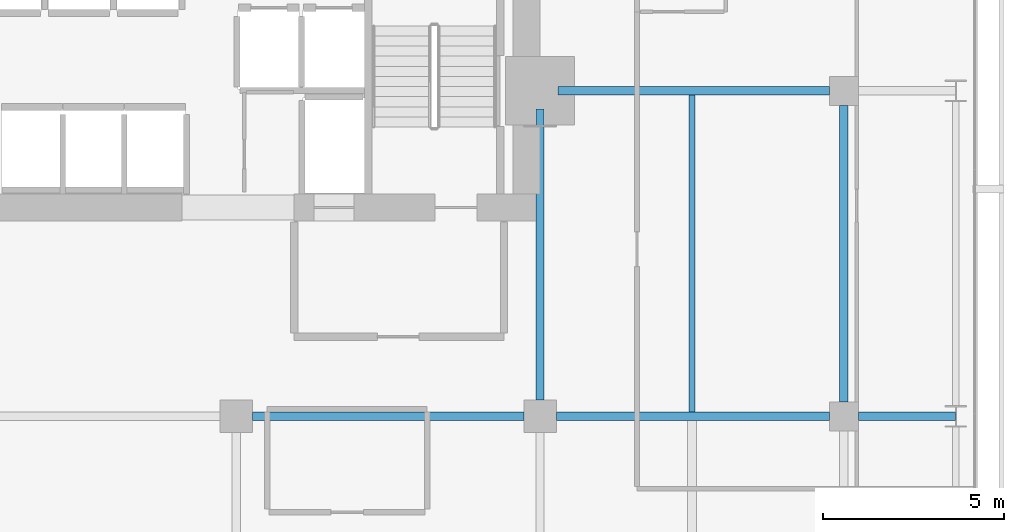
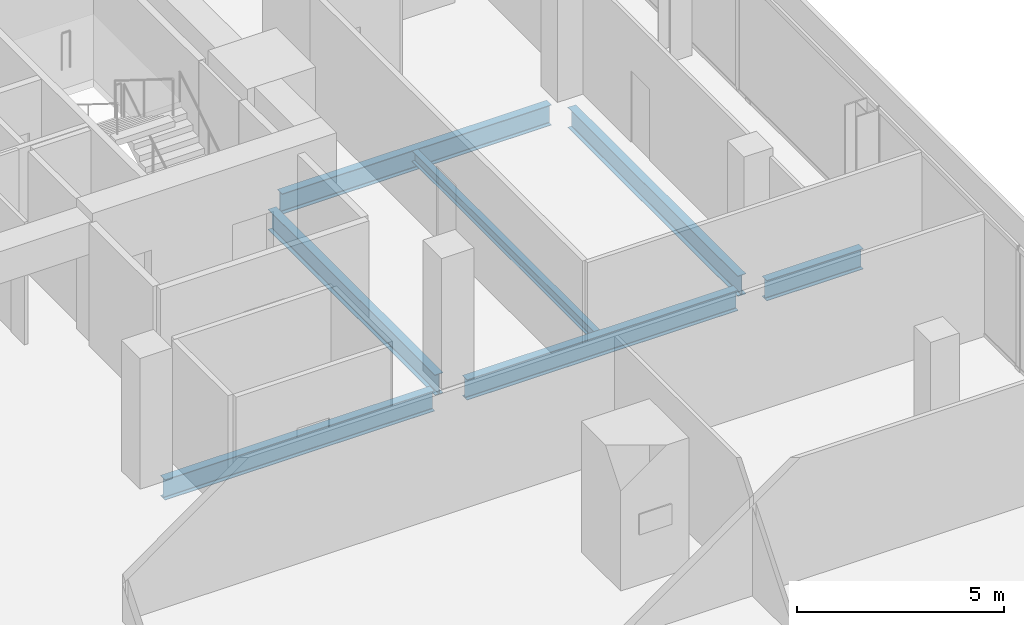
# One storey, part 23 of 32: 7 beams.
"""IFC4 building model written with IfcOpenShell, lengths in metres."""

from ifc_helpers import new_model, si_unit, direction, frame, origin, origin_2d, place, context, subcontext, project, spatial, i_section, extrude, material, material_profile, profile_set, type_object, element, save


model = new_model("IFC4")

# Units and contexts
model_context = context("Model", 3, precision=1e-05, world=origin(), true_north=direction((0.0, 1.0)))
body_context = subcontext(model_context, "Body", "Model", "MODEL_VIEW")
ifc_project = project(units=[si_unit("LENGTHUNIT", "METRE"), si_unit("AREAUNIT", "SQUARE_METRE"), si_unit("VOLUMEUNIT", "CUBIC_METRE"), si_unit("PLANEANGLEUNIT", "RADIAN"), si_unit("MASSUNIT", "GRAM", prefix="KILO")], contexts=[model_context])

# Site, building, storey
site_placement = place(None, origin())
site = spatial("IfcSite", under=ifc_project, at=site_placement, CompositionType="ELEMENT")
building_placement = place(site_placement, origin())
building = spatial("IfcBuilding", under=site, at=building_placement, Name="Maruvema Waterfront Hotel and Observation Tower", CompositionType="ELEMENT")
storey_placement = place(building_placement, frame((0.0, 0.0, 165.89990234375)))
storey = spatial("IfcBuildingStorey", under=building, at=storey_placement, Name="L40", CompositionType="ELEMENT", Elevation=165.89990234375)

# Beams
ifc_material_1 = material(Name="Steel ASTM A572 Grade 50", Category="steel")
ifc_material_profile_1 = material_profile(ifc_material_1, i_section(OverallWidth=0.22802734375, OverallDepth=0.60302734375, WebThickness=0.010498046875, FlangeThickness=0.014892578125, FilletRadius=0.01806640625, at=origin_2d()), Name="W610x101.0")
ifc_profile_set_1 = profile_set([ifc_material_profile_1], Name="Steel ASTM A572 Grade 50")
beam_type_1 = type_object("IfcBeamType", Name="Primary Floor Girder W610x101.0", PredefinedType="BEAM", material=ifc_profile_set_1)
beam_1_placement = place(storey_placement, frame((42.449951171875, 36.0, -0.54150390625), z_axis=(1.0, 0.0, 0.0), x_axis=(0.0, 1.0, 0.0)))
element("IfcBeam", 1, at=beam_1_placement, inside=storey, type_object=beam_type_1, Name="L40 Floor Girder EW-27", PredefinedType="BEAM", context=body_context, shape_type="SweptSolid", body=[
    extrude(i_section(OverallWidth=0.22802734375, OverallDepth=0.60302734375, WebThickness=0.010498046875, FlangeThickness=0.014892578125, FilletRadius=0.01806640625, at=origin_2d()), origin(), (0.0, 0.0, 1.0), 7.5),
])
beam_2_placement = place(storey_placement, frame((50.85009765625, 36.0, -0.54150390625), z_axis=(1.0, 0.0, 0.0), x_axis=(0.0, 1.0, 0.0)))
element("IfcBeam", 2, at=beam_2_placement, inside=storey, type_object=beam_type_1, Name="L40 Floor Girder EW-28", PredefinedType="BEAM", context=body_context, shape_type="SweptSolid", body=[
    extrude(i_section(OverallWidth=0.22802734375, OverallDepth=0.60302734375, WebThickness=0.010498046875, FlangeThickness=0.014892578125, FilletRadius=0.01806640625, at=origin_2d()), origin(), (0.0, 0.0, 1.0), 7.5498046875),
])
beam_3_placement = place(storey_placement, frame((59.199951171875, 36.0, -0.54150390625), z_axis=(1.0, 0.0, 0.0), x_axis=(0.0, 1.0, 0.0)))
element("IfcBeam", 3, at=beam_3_placement, inside=storey, type_object=beam_type_1, Name="L40 Floor Girder EW-29", PredefinedType="BEAM", context=body_context, shape_type="SweptSolid", body=[
    extrude(i_section(OverallWidth=0.22802734375, OverallDepth=0.60302734375, WebThickness=0.010498046875, FlangeThickness=0.014892578125, FilletRadius=0.01806640625, at=origin_2d()), origin(), (0.0, 0.0, 1.0), 2.6875),
])
beam_4_placement = place(storey_placement, frame((50.89990234375, 45.0, -0.54150390625), z_axis=(1.0, 0.0, 0.0), x_axis=(0.0, 1.0, 0.0)))
element("IfcBeam", 4, at=beam_4_placement, inside=storey, type_object=beam_type_1, Name="L40 Floor Girder EW-32", PredefinedType="BEAM", context=body_context, shape_type="SweptSolid", body=[
    extrude(i_section(OverallWidth=0.22802734375, OverallDepth=0.60302734375, WebThickness=0.010498046875, FlangeThickness=0.014892578125, FilletRadius=0.01806640625, at=origin_2d()), origin(), (0.0, 0.0, 1.0), 7.5),
])
beam_5_placement = place(storey_placement, frame((50.39990234375, 36.449951171875, -0.54150390625), z_axis=(0.0, 1.0, 0.0), x_axis=(-1.0, 0.0, 0.0)))
element("IfcBeam", 5, at=beam_5_placement, inside=storey, type_object=beam_type_1, Name="L40 Floor Girder NS-24", PredefinedType="BEAM", context=body_context, shape_type="SweptSolid", body=[
    extrude(i_section(OverallWidth=0.22802734375, OverallDepth=0.60302734375, WebThickness=0.010498046875, FlangeThickness=0.014892578125, FilletRadius=0.01806640625, at=origin_2d()), origin(), (0.0, 0.0, 1.0), 8.050048828125),
])
beam_6_placement = place(storey_placement, frame((58.800048828125, 36.39990234375, -0.54150390625), z_axis=(0.0, 1.0, 0.0), x_axis=(-1.0, 0.0, 0.0)))
element("IfcBeam", 6, at=beam_6_placement, inside=storey, type_object=beam_type_1, Name="L40 Floor Girder NS-28", PredefinedType="BEAM", context=body_context, shape_type="SweptSolid", body=[
    extrude(i_section(OverallWidth=0.22802734375, OverallDepth=0.60302734375, WebThickness=0.010498046875, FlangeThickness=0.014892578125, FilletRadius=0.01806640625, at=origin_2d()), origin(), (0.0, 0.0, 1.0), 8.2001953125),
])
ifc_material_2 = material(Name="Steel ASTM A572 Grade 50", Category="steel")
ifc_material_profile_2 = material_profile(ifc_material_2, i_section(OverallWidth=0.1669921875, OverallDepth=0.31689453125, WebThickness=0.007568359375, FlangeThickness=0.01318359375, FilletRadius=0.012939453125, at=origin_2d()), Name="W310x52.0")
ifc_profile_set_2 = profile_set([ifc_material_profile_2], Name="Steel ASTM A572 Grade 50")
beam_type_2 = type_object("IfcBeamType", Name="Secondary Floor Joist W310x52.0", PredefinedType="JOIST", material=ifc_profile_set_2)
beam_7_placement = place(storey_placement, frame((54.60009765625, 36.114013671875, -0.3984375), z_axis=(0.0, 1.0, 0.0), x_axis=(-1.0, 0.0, 0.0)))
element("IfcBeam", 7, at=beam_7_placement, inside=storey, type_object=beam_type_2, Name="L40 Secondary Floor Joist JS-14", PredefinedType="JOIST", context=body_context, shape_type="SweptSolid", body=[
    extrude(i_section(OverallWidth=0.1669921875, OverallDepth=0.31689453125, WebThickness=0.007568359375, FlangeThickness=0.01318359375, FilletRadius=0.012939453125, at=origin_2d()), origin(), (0.0, 0.0, 1.0), 8.77197265625),
])

save(model, "model.ifc")
